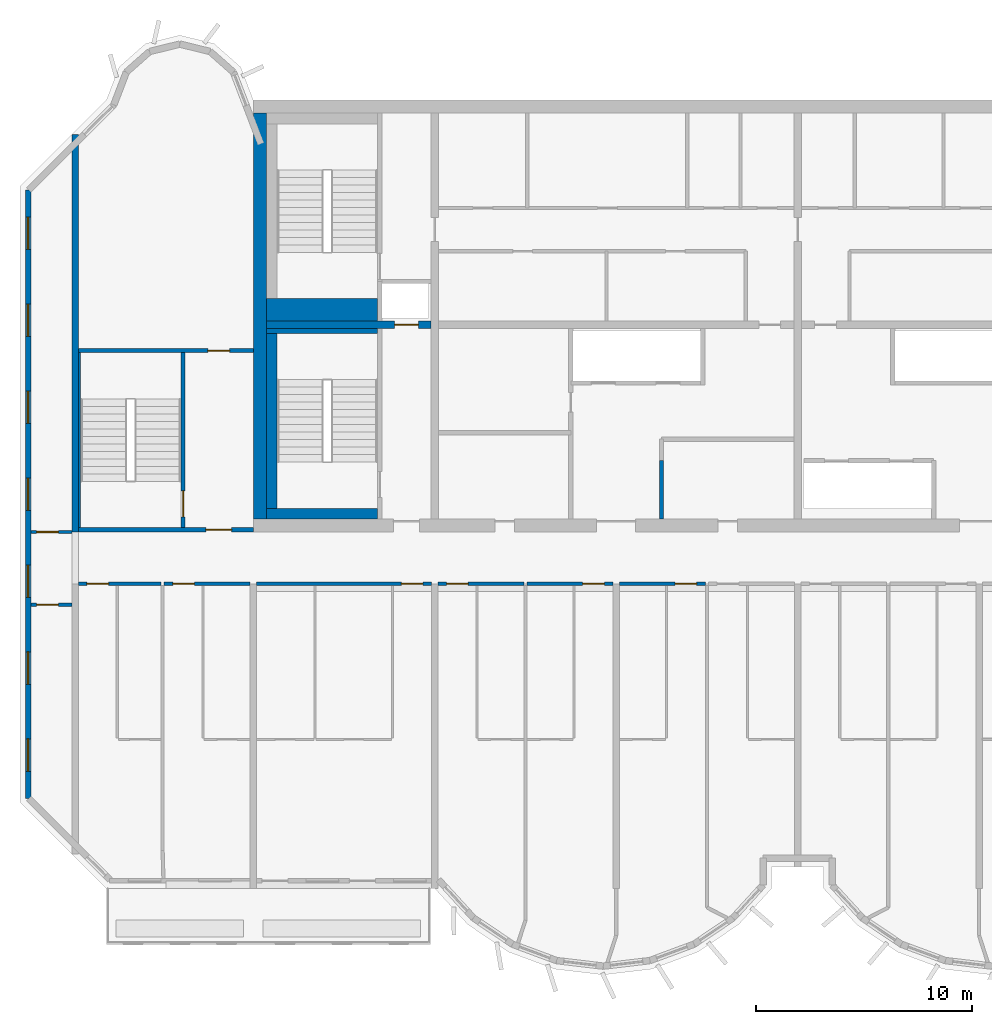
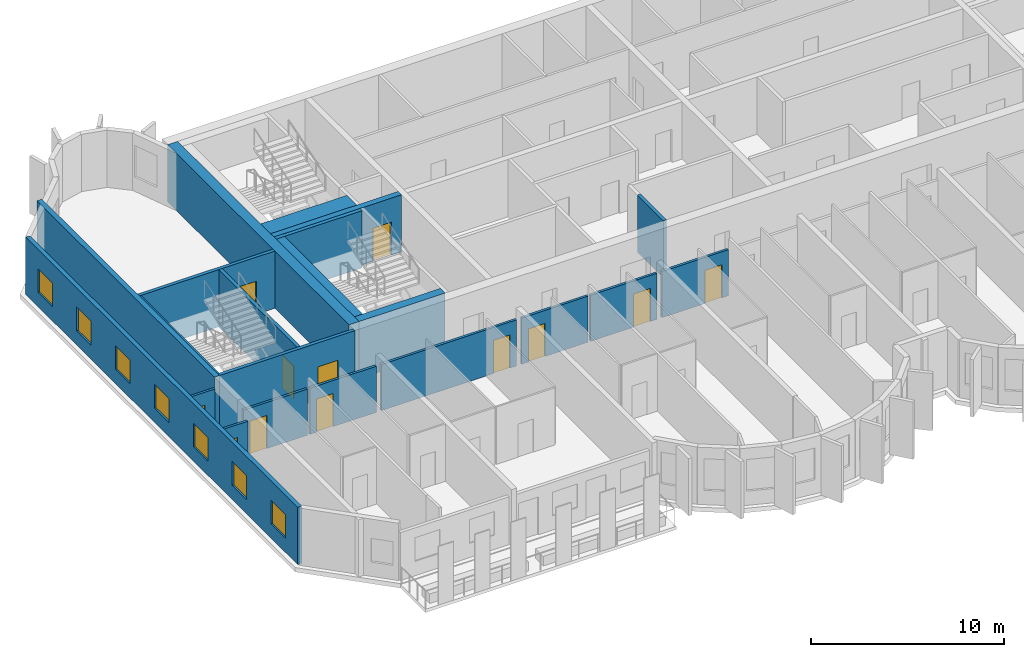
# One storey, part 3 of 11: 21 walls, 12 doors, 7 windows, 19 openings.
"""IFC4 building model written with IfcOpenShell, lengths in metres."""

from ifc_helpers import new_model, si_unit, direction, frame, frame_2d, origin, place, context, subcontext, project, spatial, rectangle, extrude, source, transform, mapped, material, layer, layer_set, type_object, element, fill, save


model = new_model("IFC4")

# Units and contexts
model_context = context("Model", 3, precision=1e-05, world=origin(), true_north=direction((0.0, 1.0)))
body_context = subcontext(model_context, "Body", "Model", "MODEL_VIEW")
ifc_project = project(units=[si_unit("LENGTHUNIT", "METRE"), si_unit("AREAUNIT", "SQUARE_METRE"), si_unit("VOLUMEUNIT", "CUBIC_METRE"), si_unit("PLANEANGLEUNIT", "RADIAN"), si_unit("MASSUNIT", "GRAM", prefix="KILO")], contexts=[model_context])

# Site, building, storey
site_placement = place(None, origin())
site = spatial("IfcSite", under=ifc_project, at=site_placement, CompositionType="ELEMENT")
building_placement = place(site_placement, origin())
building = spatial("IfcBuilding", under=site, at=building_placement, Name="Vanashikhar Sky Hotel", CompositionType="ELEMENT")
storey_placement = place(building_placement, frame((0.0, 0.0, 229.60009765625)))
storey = spatial("IfcBuildingStorey", under=building, at=storey_placement, Name="L55", CompositionType="ELEMENT", Elevation=229.60009765625)

# Wall
ifc_material_1 = material(Name="Concrete M60", Category="concrete")
ifc_layer_1 = layer(ifc_material_1, 0.60009765625)
ifc_layer_set_1 = layer_set([ifc_layer_1], Name="RC core shell wall 600 Concrete M60")
wall_type_1 = type_object("IfcWallType", Name="RC core shell wall 600 Concrete M60", PredefinedType="SHEAR", material=ifc_layer_set_1)
shared_shape_1 = source(origin(), body_context, "Body", "SweptSolid", [
    extrude(rectangle(XDim=18.7998046875, YDim=0.60009765625, at=frame_2d((9.39990234375, 0.0))), origin(), (0.0, 0.0, 1.0), 3.619873046875),
])
wall_1_placement = place(storey_placement, frame((25.5, 22.60009765625, 0.0), z_axis=(0.0, 0.0, 1.0), x_axis=(0.0, 1.0, 0.0)))
element("IfcWall", 1, at=wall_1_placement, inside=storey, type_object=wall_type_1, Name="KW-L55-KW", PredefinedType="SHEAR", context=body_context, shape_type="MappedRepresentation", body=[
    mapped(shared_shape_1, transform((0.0, 0.0, 0.0), scale=1.0)),
])

# Wall, opening, door
ifc_layer_2 = layer(ifc_material_1, 0.35009765625)
ifc_layer_set_2 = layer_set([ifc_layer_2], Name="RC core inner wall 350 Concrete M60")
wall_type_2 = type_object("IfcWallType", Name="RC core inner wall 350 Concrete M60", PredefinedType="SHEAR", material=ifc_layer_set_2)
shared_shape_2 = source(origin(), body_context, "Body", "SweptSolid", [
    extrude(rectangle(XDim=7.625, YDim=0.35009765625, at=frame_2d((3.8125, 0.0))), origin(), (0.0, 0.0, 1.0), 3.619873046875),
])
wall_2_placement = place(storey_placement, frame((25.800048828125, 31.60009765625, 0.0), z_axis=(0.0, 0.0, 1.0), x_axis=(1.0, 0.0, 0.0)))
wall_2 = element("IfcWall", 2, at=wall_2_placement, inside=storey, type_object=wall_type_2, Name="KW-L55-KY1", PredefinedType="SHEAR", context=body_context, shape_type="MappedRepresentation", body=[
    mapped(shared_shape_2, transform((0.0, 0.0, 0.0), scale=1.0)),
])
shared_shape_3 = source(origin(), body_context, "Body", "SweptSolid", [
    extrude(rectangle(XDim=1.10009765625, YDim=2.10009765625, at=frame_2d((0.550048828125, 1.050048828125))), frame((0.0, 0.18505859375, 0.0), z_axis=(0.0, -1.0, 0.0), x_axis=(1.0, 0.0, 0.0)), (0.0, 0.0, 1.0), 0.3701171875),
])
opening_1_placement = place(wall_2_placement, frame((5.93798828125, 0.0, 0.0)))
opening_1 = element("IfcOpeningElement", 3, at=opening_1_placement, cuts=wall_2, Name="Opening LD", PredefinedType="OPENING", context=body_context, shape_type="MappedRepresentation", body=[
    mapped(shared_shape_3, transform((0.0, 0.0, 0.0), scale=1.0)),
])
ifc_material_2 = material(Name="Stainless steel", Category="steel")
door_type_1 = type_object("IfcDoorType", Name="Lift landing door 1100", OperationType="NOTDEFINED", PredefinedType="DOOR", material=ifc_material_2)
shared_shape_4 = source(origin(), body_context, "Body", "SweptSolid", [
    extrude(rectangle(XDim=1.10009765625, YDim=2.10009765625, at=frame_2d((0.550048828125, 1.050048828125))), frame((0.0, 0.02490234375, 0.0), z_axis=(0.0, -1.0, 0.0), x_axis=(1.0, 0.0, 0.0)), (0.0, 0.0, 1.0), 0.050048828125),
])
door_1_placement = place(opening_1_placement, origin())
door_1 = element("IfcDoor", 4, at=door_1_placement, inside=storey, type_object=door_type_1, Name="Lift landing door 1100", OperationType="SLIDING_TO_LEFT", OverallHeight=2.10009765625, OverallWidth=1.10009765625, PredefinedType="DOOR", context=body_context, shape_type="MappedRepresentation", body=[
    mapped(shared_shape_4, transform((0.0, 0.0, 0.0), scale=1.0)),
])
fill(opening_1, door_1)

# Wall
ifc_layer_3 = layer(ifc_material_1, 0.300048828125)
ifc_layer_set_3 = layer_set([ifc_layer_3], Name="RC shear wall 300 Concrete M60")
wall_type_3 = type_object("IfcWallType", Name="RC shear wall 300 Concrete M60", PredefinedType="SHEAR", material=ifc_layer_set_3)
shared_shape_5 = source(origin(), body_context, "Body", "SweptSolid", [
    extrude(rectangle(XDim=18.39990234375, YDim=0.300048828125, at=frame_2d((9.199951171875, 0.0))), origin(), (0.0, 0.0, 1.0), 3.619873046875),
])
wall_3_placement = place(storey_placement, frame((16.949951171875, 22.0, 0.0), z_axis=(0.0, 0.0, 1.0), x_axis=(0.0, 1.0, 0.0)))
element("IfcWall", 5, at=wall_3_placement, inside=storey, type_object=wall_type_3, Name="CW-L55-XW03-2", PredefinedType="SHEAR", context=body_context, shape_type="MappedRepresentation", body=[
    mapped(shared_shape_5, transform((0.0, 0.0, 0.0), scale=1.0)),
])

# Wall, openings, windows
ifc_material_3 = material(Name="Concrete M50", Category="concrete")
ifc_layer_4 = layer(ifc_material_3, 0.25)
ifc_layer_set_4 = layer_set([ifc_layer_4], Name="Rear and end board-marked wall 250")
wall_type_4 = type_object("IfcWallType", Name="Rear and end board-marked wall 250", PredefinedType="SOLIDWALL", material=ifc_layer_set_4)
shared_shape_6 = source(origin(), body_context, "Body", "SweptSolid", [
    extrude(rectangle(XDim=28.189453125, YDim=0.25, at=frame_2d((14.0947265625, 0.0))), origin(), (0.0, 0.0, 1.0), 3.619873046875),
])
wall_4_placement = place(storey_placement, frame((14.77490234375, 37.8447265625, 0.0), z_axis=(0.0, 0.0, 1.0), x_axis=(0.0, -1.0, 0.0)))
wall_4 = element("IfcWall", 6, at=wall_4_placement, inside=storey, type_object=wall_type_4, Name="End board-marked wall", PredefinedType="SOLIDWALL", context=body_context, shape_type="MappedRepresentation", body=[
    mapped(shared_shape_6, transform((0.0, 0.0, 0.0), scale=1.0)),
])
shared_shape_7 = source(origin(), body_context, "Body", "SweptSolid", [
    extrude(rectangle(XDim=1.5, YDim=1.5, at=frame_2d((0.75, 0.75))), frame((0.0, 0.135009765625, 0.0), z_axis=(0.0, -1.0, 0.0), x_axis=(1.0, 0.0, 0.0)), (0.0, 0.0, 1.0), 0.27001953125),
])
opening_2_placement = place(wall_4_placement, frame((1.263427734375, 0.0, 0.89990234375)))
opening_2 = element("IfcOpeningElement", 7, at=opening_2_placement, cuts=wall_4, Name="Opening WN-1", PredefinedType="OPENING", context=body_context, shape_type="MappedRepresentation", body=[
    mapped(shared_shape_7, transform((0.0, 0.0, 0.0), scale=1.0)),
])
opening_3_placement = place(wall_4_placement, frame((5.29052734375, 0.0, 0.89990234375)))
opening_3 = element("IfcOpeningElement", 8, at=opening_3_placement, cuts=wall_4, Name="Opening WN-1", PredefinedType="OPENING", context=body_context, shape_type="MappedRepresentation", body=[
    mapped(shared_shape_7, transform((0.0, 0.0, 0.0), scale=1.0)),
])
opening_4_placement = place(wall_4_placement, frame((9.317626953125, 0.0, 0.89990234375)))
opening_4 = element("IfcOpeningElement", 9, at=opening_4_placement, cuts=wall_4, Name="Opening WN-1", PredefinedType="OPENING", context=body_context, shape_type="MappedRepresentation", body=[
    mapped(shared_shape_7, transform((0.0, 0.0, 0.0), scale=1.0)),
])
opening_5_placement = place(wall_4_placement, frame((13.3447265625, 0.0, 0.89990234375)))
opening_5 = element("IfcOpeningElement", 10, at=opening_5_placement, cuts=wall_4, Name="Opening WN-1", PredefinedType="OPENING", context=body_context, shape_type="MappedRepresentation", body=[
    mapped(shared_shape_7, transform((0.0, 0.0, 0.0), scale=1.0)),
])
opening_6_placement = place(wall_4_placement, frame((17.371826171875, 0.0, 0.89990234375)))
opening_6 = element("IfcOpeningElement", 11, at=opening_6_placement, cuts=wall_4, Name="Opening WN-1", PredefinedType="OPENING", context=body_context, shape_type="MappedRepresentation", body=[
    mapped(shared_shape_7, transform((0.0, 0.0, 0.0), scale=1.0)),
])
opening_7_placement = place(wall_4_placement, frame((21.398681640625, 0.0, 0.89990234375)))
opening_7 = element("IfcOpeningElement", 12, at=opening_7_placement, cuts=wall_4, Name="Opening WN-1", PredefinedType="OPENING", context=body_context, shape_type="MappedRepresentation", body=[
    mapped(shared_shape_7, transform((0.0, 0.0, 0.0), scale=1.0)),
])
opening_8_placement = place(wall_4_placement, frame((25.42578125, 0.0, 0.89990234375)))
opening_8 = element("IfcOpeningElement", 13, at=opening_8_placement, cuts=wall_4, Name="Opening WN-1", PredefinedType="OPENING", context=body_context, shape_type="MappedRepresentation", body=[
    mapped(shared_shape_7, transform((0.0, 0.0, 0.0), scale=1.0)),
])
ifc_material_4 = material(Name="Glass", Category="glass")
window_type = type_object("IfcWindowType", Name="Window 1500 x 1500", PartitioningType="SINGLE_PANEL", PredefinedType="WINDOW", material=ifc_material_4)
shared_shape_8 = source(origin(), body_context, "Body", "SweptSolid", [
    extrude(rectangle(XDim=1.5, YDim=1.5, at=frame_2d((0.75, 0.75))), frame((0.0, 0.030029296875, 0.0), z_axis=(0.0, -1.0, 0.0), x_axis=(1.0, 0.0, 0.0)), (0.0, 0.0, 1.0), 0.06005859375),
])
window_1_placement = place(opening_2_placement, origin())
window_1 = element("IfcWindow", 14, at=window_1_placement, inside=storey, type_object=window_type, Name="Window WN-1", OverallHeight=1.5, OverallWidth=1.5, PartitioningType="SINGLE_PANEL", PredefinedType="WINDOW", context=body_context, shape_type="MappedRepresentation", body=[
    mapped(shared_shape_8, transform((0.0, 0.0, 0.0), scale=1.0)),
])
fill(opening_2, window_1)
window_2_placement = place(opening_3_placement, origin())
window_2 = element("IfcWindow", 15, at=window_2_placement, inside=storey, type_object=window_type, Name="Window WN-1", OverallHeight=1.5, OverallWidth=1.5, PartitioningType="SINGLE_PANEL", PredefinedType="WINDOW", context=body_context, shape_type="MappedRepresentation", body=[
    mapped(shared_shape_8, transform((0.0, 0.0, 0.0), scale=1.0)),
])
fill(opening_3, window_2)
window_3_placement = place(opening_4_placement, origin())
window_3 = element("IfcWindow", 16, at=window_3_placement, inside=storey, type_object=window_type, Name="Window WN-1", OverallHeight=1.5, OverallWidth=1.5, PartitioningType="SINGLE_PANEL", PredefinedType="WINDOW", context=body_context, shape_type="MappedRepresentation", body=[
    mapped(shared_shape_8, transform((0.0, 0.0, 0.0), scale=1.0)),
])
fill(opening_4, window_3)
window_4_placement = place(opening_5_placement, origin())
window_4 = element("IfcWindow", 17, at=window_4_placement, inside=storey, type_object=window_type, Name="Window WN-1", OverallHeight=1.5, OverallWidth=1.5, PartitioningType="SINGLE_PANEL", PredefinedType="WINDOW", context=body_context, shape_type="MappedRepresentation", body=[
    mapped(shared_shape_8, transform((0.0, 0.0, 0.0), scale=1.0)),
])
fill(opening_5, window_4)
window_5_placement = place(opening_6_placement, origin())
window_5 = element("IfcWindow", 18, at=window_5_placement, inside=storey, type_object=window_type, Name="Window WN-1", OverallHeight=1.5, OverallWidth=1.5, PartitioningType="SINGLE_PANEL", PredefinedType="WINDOW", context=body_context, shape_type="MappedRepresentation", body=[
    mapped(shared_shape_8, transform((0.0, 0.0, 0.0), scale=1.0)),
])
fill(opening_6, window_5)
window_6_placement = place(opening_7_placement, origin())
window_6 = element("IfcWindow", 19, at=window_6_placement, inside=storey, type_object=window_type, Name="Window WN-1", OverallHeight=1.5, OverallWidth=1.5, PartitioningType="SINGLE_PANEL", PredefinedType="WINDOW", context=body_context, shape_type="MappedRepresentation", body=[
    mapped(shared_shape_8, transform((0.0, 0.0, 0.0), scale=1.0)),
])
fill(opening_7, window_6)
window_7_placement = place(opening_8_placement, origin())
window_7 = element("IfcWindow", 20, at=window_7_placement, inside=storey, type_object=window_type, Name="Window WN-1", OverallHeight=1.5, OverallWidth=1.5, PartitioningType="SINGLE_PANEL", PredefinedType="WINDOW", context=body_context, shape_type="MappedRepresentation", body=[
    mapped(shared_shape_8, transform((0.0, 0.0, 0.0), scale=1.0)),
])
fill(opening_8, window_7)

# Wall
ifc_material_5 = material(Name="Gypsum board partition")
ifc_layer_5 = layer(ifc_material_5, 0.14990234375)
ifc_layer_set_5 = layer_set([ifc_layer_5], Name="Service partition 150")
wall_type_5 = type_object("IfcWallType", Name="Service partition 150", PredefinedType="PARTITIONING", material=ifc_layer_set_5)
shared_shape_9 = source(origin(), body_context, "Body", "SweptSolid", [
    extrude(rectangle(XDim=2.699951171875, YDim=0.199951171875, at=frame_2d((1.35009765625, 0.0))), origin(), (0.0, 0.0, 1.0), 3.619873046875),
])
wall_5_placement = place(storey_placement, frame((44.10009765625, 22.60009765625, 0.0), z_axis=(0.0, 0.0, 1.0), x_axis=(0.0, 1.0, 0.0)))
element("IfcWall", 21, at=wall_5_placement, inside=storey, type_object=wall_type_5, Name="Service partition 150", PredefinedType="PARTITIONING", context=body_context, shape_type="MappedRepresentation", body=[
    mapped(shared_shape_9, transform((0.0, 0.0, 0.0), scale=1.0)),
])

# Wall, opening, door
ifc_layer_6 = layer(ifc_material_3, 0.199951171875)
ifc_layer_set_6 = layer_set([ifc_layer_6], Name="Stair wall 200")
wall_type_6 = type_object("IfcWallType", Name="Stair wall 200", PredefinedType="SOLIDWALL", material=ifc_layer_set_6)
shared_shape_10 = source(origin(), body_context, "Body", "SweptSolid", [
    extrude(rectangle(XDim=8.2998046875, YDim=0.199951171875, at=frame_2d((4.14990234375, 0.0))), origin(), (0.0, 0.0, 1.0), 3.619873046875),
])
wall_6_placement = place(storey_placement, frame((21.949951171875, 22.10009765625, 0.0), z_axis=(0.0, 0.0, 1.0), x_axis=(0.0, 1.0, 0.0)))
wall_6 = element("IfcWall", 22, at=wall_6_placement, inside=storey, type_object=wall_type_6, Name="Stair wall 200", PredefinedType="SOLIDWALL", context=body_context, shape_type="MappedRepresentation", body=[
    mapped(shared_shape_10, transform((0.0, 0.0, 0.0), scale=1.0)),
])
shared_shape_11 = source(origin(), body_context, "Body", "SweptSolid", [
    extrude(rectangle(XDim=1.199951171875, YDim=2.10009765625, at=frame_2d((0.60009765625, 1.050048828125))), frame((0.0, 0.10986328125, 0.0), z_axis=(0.0, -1.0, 0.0), x_axis=(1.0, 0.0, 0.0)), (0.0, 0.0, 1.0), 0.219970703125),
])
opening_9_placement = place(wall_6_placement, frame((0.60009765625, 0.0, 0.0)))
opening_9 = element("IfcOpeningElement", 23, at=opening_9_placement, cuts=wall_6, Name="Opening DC-1", PredefinedType="OPENING", context=body_context, shape_type="MappedRepresentation", body=[
    mapped(shared_shape_11, transform((0.0, 0.0, 0.0), scale=1.0)),
])
ifc_material_6 = material(Name="Steel", Category="steel")
door_type_2 = type_object("IfcDoorType", Name="Stair door 1200 FD120", OperationType="NOTDEFINED", PredefinedType="DOOR", material=ifc_material_6)
shared_shape_12 = source(origin(), body_context, "Body", "SweptSolid", [
    extrude(rectangle(XDim=1.199951171875, YDim=2.10009765625, at=frame_2d((0.60009765625, 1.050048828125))), frame((0.0, 0.02490234375, 0.0), z_axis=(0.0, -1.0, 0.0), x_axis=(1.0, 0.0, 0.0)), (0.0, 0.0, 1.0), 0.050048828125),
])
door_2_placement = place(opening_9_placement, origin())
door_2 = element("IfcDoor", 24, at=door_2_placement, inside=storey, type_object=door_type_2, Name="Stair door 1200 FD120", OperationType="SINGLE_SWING_LEFT", OverallHeight=2.10009765625, OverallWidth=1.199951171875, PredefinedType="DOOR", context=body_context, shape_type="MappedRepresentation", body=[
    mapped(shared_shape_12, transform((0.0, 0.0, 0.0), scale=1.0)),
])
fill(opening_9, door_2)

shared_shape_13 = source(origin(), body_context, "Body", "SweptSolid", [
    extrude(rectangle(XDim=8.099853515625, YDim=0.199951171875, at=frame_2d((4.0498046875, 0.0))), origin(), (0.0, 0.0, 1.0), 3.619873046875),
])
wall_7_placement = place(storey_placement, frame((17.10009765625, 22.10009765625, 0.0), z_axis=(0.0, 0.0, 1.0), x_axis=(1.0, 0.0, 0.0)))
wall_7 = element("IfcWall", 25, at=wall_7_placement, inside=storey, type_object=wall_type_6, Name="Stair wall 200", PredefinedType="SOLIDWALL", context=body_context, shape_type="MappedRepresentation", body=[
    mapped(shared_shape_13, transform((0.0, 0.0, 0.0), scale=1.0)),
])
opening_10_placement = place(wall_7_placement, frame((5.89990234375, 0.0, 0.0)))
opening_10 = element("IfcOpeningElement", 26, at=opening_10_placement, cuts=wall_7, Name="Opening DC-2", PredefinedType="OPENING", context=body_context, shape_type="MappedRepresentation", body=[
    mapped(shared_shape_11, transform((0.0, 0.0, 0.0), scale=1.0)),
])
door_type_3 = type_object("IfcDoorType", Name="Firefighting lobby door 1200 FD120", OperationType="NOTDEFINED", PredefinedType="DOOR", material=ifc_material_6)
door_3_placement = place(opening_10_placement, origin())
door_3 = element("IfcDoor", 27, at=door_3_placement, inside=storey, type_object=door_type_3, Name="Firefighting lobby door 1200 FD120", OperationType="SINGLE_SWING_RIGHT", OverallHeight=2.10009765625, OverallWidth=1.199951171875, PredefinedType="DOOR", context=body_context, shape_type="MappedRepresentation", body=[
    mapped(shared_shape_12, transform((0.0, 0.0, 0.0), scale=1.0)),
])
fill(opening_10, door_3)

wall_8_placement = place(storey_placement, frame((17.10009765625, 30.39990234375, 0.0), z_axis=(0.0, 0.0, 1.0), x_axis=(1.0, 0.0, 0.0)))
wall_8 = element("IfcWall", 28, at=wall_8_placement, inside=storey, type_object=wall_type_6, Name="Stair wall 200", PredefinedType="SOLIDWALL", context=body_context, shape_type="MappedRepresentation", body=[
    mapped(shared_shape_13, transform((0.0, 0.0, 0.0), scale=1.0)),
])
shared_shape_14 = source(origin(), body_context, "Body", "SweptSolid", [
    extrude(rectangle(XDim=1.0, YDim=2.10009765625, at=frame_2d((0.5, 1.050048828125))), frame((0.0, 0.10986328125, 0.0), z_axis=(0.0, -1.0, 0.0), x_axis=(1.0, 0.0, 0.0)), (0.0, 0.0, 1.0), 0.219970703125),
])
opening_11_placement = place(wall_8_placement, frame((6.0, 0.0, 0.0)))
opening_11 = element("IfcOpeningElement", 29, at=opening_11_placement, cuts=wall_8, Name="Opening DC-6", PredefinedType="OPENING", context=body_context, shape_type="MappedRepresentation", body=[
    mapped(shared_shape_14, transform((0.0, 0.0, 0.0), scale=1.0)),
])
door_type_4 = type_object("IfcDoorType", Name="Pocket door 1000 FD60", OperationType="NOTDEFINED", PredefinedType="DOOR", material=ifc_material_6)
shared_shape_15 = source(origin(), body_context, "Body", "SweptSolid", [
    extrude(rectangle(XDim=1.0, YDim=2.10009765625, at=frame_2d((0.5, 1.050048828125))), frame((0.0, 0.02490234375, 0.0), z_axis=(0.0, -1.0, 0.0), x_axis=(1.0, 0.0, 0.0)), (0.0, 0.0, 1.0), 0.050048828125),
])
door_4_placement = place(opening_11_placement, origin())
door_4 = element("IfcDoor", 30, at=door_4_placement, inside=storey, type_object=door_type_4, Name="Pocket door 1000 FD60", OperationType="SINGLE_SWING_RIGHT", OverallHeight=2.10009765625, OverallWidth=1.0, PredefinedType="DOOR", context=body_context, shape_type="MappedRepresentation", body=[
    mapped(shared_shape_15, transform((0.0, 0.0, 0.0), scale=1.0)),
])
fill(opening_11, door_4)

# Walls
ifc_layer_7 = layer(ifc_material_3, 0.5)
ifc_layer_set_7 = layer_set([ifc_layer_7], Name="Stair infill wall 500")
wall_type_7 = type_object("IfcWallType", Name="Stair infill wall 500", PredefinedType="SOLIDWALL", material=ifc_layer_set_7)
shared_shape_16 = source(origin(), body_context, "Body", "SweptSolid", [
    extrude(rectangle(XDim=5.14990234375, YDim=0.5, at=frame_2d((2.574951171875, 0.0))), origin(), (0.0, 0.0, 1.0), 3.619873046875),
])
wall_9_placement = place(storey_placement, frame((25.800048828125, 22.85009765625, 0.0), z_axis=(0.0, 0.0, 1.0), x_axis=(1.0, 0.0, 0.0)))
element("IfcWall", 31, at=wall_9_placement, inside=storey, type_object=wall_type_7, Name="Stair infill wall 500", PredefinedType="SOLIDWALL", context=body_context, shape_type="MappedRepresentation", body=[
    mapped(shared_shape_16, transform((0.0, 0.0, 0.0), scale=1.0)),
])
ifc_layer_8 = layer(ifc_material_3, 0.22509765625)
ifc_layer_set_8 = layer_set([ifc_layer_8], Name="Stair infill wall 225")
wall_type_8 = type_object("IfcWallType", Name="Stair infill wall 225", PredefinedType="SOLIDWALL", material=ifc_layer_set_8)
shared_shape_17 = source(origin(), body_context, "Body", "SweptSolid", [
    extrude(rectangle(XDim=5.14990234375, YDim=0.22509765625, at=frame_2d((2.574951171875, 0.0))), origin(), (0.0, 0.0, 1.0), 3.619873046875),
])
wall_10_placement = place(storey_placement, frame((25.800048828125, 31.31201171875, 0.0), z_axis=(0.0, 0.0, 1.0), x_axis=(1.0, 0.0, 0.0)))
element("IfcWall", 32, at=wall_10_placement, inside=storey, type_object=wall_type_8, Name="Stair infill wall 225", PredefinedType="SOLIDWALL", context=body_context, shape_type="MappedRepresentation", body=[
    mapped(shared_shape_17, transform((0.0, 0.0, 0.0), scale=1.0)),
])
shared_shape_18 = source(origin(), body_context, "Body", "SweptSolid", [
    extrude(rectangle(XDim=8.099853515625, YDim=0.5, at=frame_2d((4.0498046875, 0.0))), origin(), (0.0, 0.0, 1.0), 3.619873046875),
])
wall_11_placement = place(storey_placement, frame((26.050048828125, 23.10009765625, 0.0), z_axis=(0.0, 0.0, 1.0), x_axis=(0.0, 1.0, 0.0)))
element("IfcWall", 33, at=wall_11_placement, inside=storey, type_object=wall_type_7, Name="Stair infill wall 500", PredefinedType="SOLIDWALL", context=body_context, shape_type="MappedRepresentation", body=[
    mapped(shared_shape_18, transform((0.0, 0.0, 0.0), scale=1.0)),
])
ifc_layer_9 = layer(ifc_material_3, 0.10009765625)
ifc_layer_set_9 = layer_set([ifc_layer_9], Name="Stair infill wall 100")
wall_type_9 = type_object("IfcWallType", Name="Stair infill wall 100", PredefinedType="SOLIDWALL", material=ifc_layer_set_9)
shared_shape_19 = source(origin(), body_context, "Body", "SweptSolid", [
    extrude(rectangle(XDim=8.10009765625, YDim=0.10009765625, at=frame_2d((4.050048828125, 0.0))), origin(), (0.0, 0.0, 1.0), 3.619873046875),
])
wall_12_placement = place(storey_placement, frame((17.14990234375, 22.199951171875, 0.0), z_axis=(0.0, 0.0, 1.0), x_axis=(0.0, 1.0, 0.0)))
element("IfcWall", 34, at=wall_12_placement, inside=storey, type_object=wall_type_9, Name="Stair infill wall 100", PredefinedType="SOLIDWALL", context=body_context, shape_type="MappedRepresentation", body=[
    mapped(shared_shape_19, transform((0.0, 0.0, 0.0), scale=1.0)),
])
ifc_layer_10 = layer(ifc_material_3, 1.02490234375)
ifc_layer_set_10 = layer_set([ifc_layer_10], Name="Stair infill wall 1025")
wall_type_10 = type_object("IfcWallType", Name="Stair infill wall 1025", PredefinedType="SOLIDWALL", material=ifc_layer_set_10)
shared_shape_20 = source(origin(), body_context, "Body", "SweptSolid", [
    extrude(rectangle(XDim=5.14990234375, YDim=1.02490234375, at=frame_2d((2.574951171875, 0.0))), origin(), (0.0, 0.0, 1.0), 3.619873046875),
])
wall_13_placement = place(storey_placement, frame((25.800048828125, 32.287109375, 0.0), z_axis=(0.0, 0.0, 1.0), x_axis=(1.0, 0.0, 0.0)))
element("IfcWall", 35, at=wall_13_placement, inside=storey, type_object=wall_type_10, Name="Stair infill wall 1025", PredefinedType="SOLIDWALL", context=body_context, shape_type="MappedRepresentation", body=[
    mapped(shared_shape_20, transform((0.0, 0.0, 0.0), scale=1.0)),
])

# Wall, opening, door
ifc_material_7 = material(Name="Gypsum plasterboard partition")
ifc_layer_11 = layer(ifc_material_7, 0.14990234375)
ifc_layer_set_11 = layer_set([ifc_layer_11], Name="Corridor and demising partition 150")
wall_type_11 = type_object("IfcWallType", Name="Corridor and demising partition 150", PredefinedType="PARTITIONING", material=ifc_layer_set_11)
shared_shape_21 = source(origin(), body_context, "Body", "SweptSolid", [
    extrude(rectangle(XDim=3.824951171875, YDim=0.14990234375, at=frame_2d((1.91259765625, 0.0))), origin(), (0.0, 0.0, 1.0), 2.919921875),
])
wall_14_placement = place(storey_placement, frame((17.10009765625, 19.60009765625, 0.0), z_axis=(0.0, 0.0, 1.0), x_axis=(1.0, 0.0, 0.0)))
wall_14 = element("IfcWall", 36, at=wall_14_placement, inside=storey, type_object=wall_type_11, Name="W-L55-PW003", PredefinedType="PARTITIONING", context=body_context, shape_type="MappedRepresentation", body=[
    mapped(shared_shape_21, transform((0.0, 0.0, 0.0), scale=1.0)),
])
shared_shape_22 = source(origin(), body_context, "Body", "SweptSolid", [
    extrude(rectangle(XDim=1.0, YDim=2.10009765625, at=frame_2d((0.5, 1.050048828125))), frame((0.0, 0.0849609375, 0.0), z_axis=(0.0, -1.0, 0.0), x_axis=(1.0, 0.0, 0.0)), (0.0, 0.0, 1.0), 0.169921875),
])
opening_12_placement = place(wall_14_placement, frame((0.39990234375, 0.0, 0.0)))
opening_12 = element("IfcOpeningElement", 37, at=opening_12_placement, cuts=wall_14, Name="Opening D-01", PredefinedType="OPENING", context=body_context, shape_type="MappedRepresentation", body=[
    mapped(shared_shape_22, transform((0.0, 0.0, 0.0), scale=1.0)),
])
ifc_material_8 = material(Name="Timber fire door", Category="wood")
door_type_5 = type_object("IfcDoorType", Name="Guest entry door 1000 FD30S", OperationType="NOTDEFINED", PredefinedType="DOOR", material=ifc_material_8)
door_5_placement = place(opening_12_placement, origin())
door_5 = element("IfcDoor", 38, at=door_5_placement, inside=storey, type_object=door_type_5, Name="D-L55-002", OperationType="SINGLE_SWING_LEFT", OverallHeight=2.10009765625, OverallWidth=1.0, PredefinedType="DOOR", context=body_context, shape_type="MappedRepresentation", body=[
    mapped(shared_shape_15, transform((0.0, 0.0, 0.0), scale=1.0)),
])
fill(opening_12, door_5)

shared_shape_23 = source(origin(), body_context, "Body", "SweptSolid", [
    extrude(rectangle(XDim=3.97509765625, YDim=0.14990234375, at=frame_2d((1.987548828125, 0.0))), origin(), (0.0, 0.0, 1.0), 2.919921875),
])
wall_15_placement = place(storey_placement, frame((21.074951171875, 19.60009765625, 0.0), z_axis=(0.0, 0.0, 1.0), x_axis=(1.0, 0.0, 0.0)))
wall_15 = element("IfcWall", 39, at=wall_15_placement, inside=storey, type_object=wall_type_11, Name="W-L55-PW006", PredefinedType="PARTITIONING", context=body_context, shape_type="MappedRepresentation", body=[
    mapped(shared_shape_23, transform((0.0, 0.0, 0.0), scale=1.0)),
])
opening_13_placement = place(wall_15_placement, frame((0.39990234375, 0.0, 0.0)))
opening_13 = element("IfcOpeningElement", 40, at=opening_13_placement, cuts=wall_15, Name="Opening D-01", PredefinedType="OPENING", context=body_context, shape_type="MappedRepresentation", body=[
    mapped(shared_shape_22, transform((0.0, 0.0, 0.0), scale=1.0)),
])
door_6_placement = place(opening_13_placement, origin())
door_6 = element("IfcDoor", 41, at=door_6_placement, inside=storey, type_object=door_type_5, Name="D-L55-004", OperationType="SINGLE_SWING_LEFT", OverallHeight=2.10009765625, OverallWidth=1.0, PredefinedType="DOOR", context=body_context, shape_type="MappedRepresentation", body=[
    mapped(shared_shape_15, transform((0.0, 0.0, 0.0), scale=1.0)),
])
fill(opening_13, door_6)

wall_16_placement = place(storey_placement, frame((33.75, 19.60009765625, 0.0), z_axis=(0.0, 0.0, 1.0), x_axis=(1.0, 0.0, 0.0)))
wall_16 = element("IfcWall", 42, at=wall_16_placement, inside=storey, type_object=wall_type_11, Name="W-L55-PW015", PredefinedType="PARTITIONING", context=body_context, shape_type="MappedRepresentation", body=[
    mapped(shared_shape_23, transform((0.0, 0.0, 0.0), scale=1.0)),
])
opening_14_placement = place(wall_16_placement, frame((0.39990234375, 0.0, 0.0)))
opening_14 = element("IfcOpeningElement", 43, at=opening_14_placement, cuts=wall_16, Name="Opening D-01", PredefinedType="OPENING", context=body_context, shape_type="MappedRepresentation", body=[
    mapped(shared_shape_22, transform((0.0, 0.0, 0.0), scale=1.0)),
])
door_7_placement = place(opening_14_placement, origin())
door_7 = element("IfcDoor", 44, at=door_7_placement, inside=storey, type_object=door_type_5, Name="D-L55-009", OperationType="SINGLE_SWING_LEFT", OverallHeight=2.10009765625, OverallWidth=1.0, PredefinedType="DOOR", context=body_context, shape_type="MappedRepresentation", body=[
    mapped(shared_shape_15, transform((0.0, 0.0, 0.0), scale=1.0)),
])
fill(opening_14, door_7)

wall_17_placement = place(storey_placement, frame((37.875, 19.60009765625, 0.0), z_axis=(0.0, 0.0, 1.0), x_axis=(1.0, 0.0, 0.0)))
wall_17 = element("IfcWall", 45, at=wall_17_placement, inside=storey, type_object=wall_type_11, Name="W-L55-PW018", PredefinedType="PARTITIONING", context=body_context, shape_type="MappedRepresentation", body=[
    mapped(shared_shape_23, transform((0.0, 0.0, 0.0), scale=1.0)),
])
opening_15_placement = place(wall_17_placement, frame((2.574951171875, 0.0, 0.0)))
opening_15 = element("IfcOpeningElement", 46, at=opening_15_placement, cuts=wall_17, Name="Opening D-01", PredefinedType="OPENING", context=body_context, shape_type="MappedRepresentation", body=[
    mapped(shared_shape_22, transform((0.0, 0.0, 0.0), scale=1.0)),
])
door_8_placement = place(opening_15_placement, origin())
door_8 = element("IfcDoor", 47, at=door_8_placement, inside=storey, type_object=door_type_5, Name="D-L55-011", OperationType="SINGLE_SWING_RIGHT", OverallHeight=2.10009765625, OverallWidth=1.0, PredefinedType="DOOR", context=body_context, shape_type="MappedRepresentation", body=[
    mapped(shared_shape_15, transform((0.0, 0.0, 0.0), scale=1.0)),
])
fill(opening_15, door_8)

wall_18_placement = place(storey_placement, frame((42.14990234375, 19.60009765625, 0.0), z_axis=(0.0, 0.0, 1.0), x_axis=(1.0, 0.0, 0.0)))
wall_18 = element("IfcWall", 48, at=wall_18_placement, inside=storey, type_object=wall_type_11, Name="W-L55-PW022", PredefinedType="PARTITIONING", context=body_context, shape_type="MappedRepresentation", body=[
    mapped(shared_shape_23, transform((0.0, 0.0, 0.0), scale=1.0)),
])
opening_16_placement = place(wall_18_placement, frame((2.574951171875, 0.0, 0.0)))
opening_16 = element("IfcOpeningElement", 49, at=opening_16_placement, cuts=wall_18, Name="Opening D-01", PredefinedType="OPENING", context=body_context, shape_type="MappedRepresentation", body=[
    mapped(shared_shape_22, transform((0.0, 0.0, 0.0), scale=1.0)),
])
door_9_placement = place(opening_16_placement, origin())
door_9 = element("IfcDoor", 50, at=door_9_placement, inside=storey, type_object=door_type_5, Name="D-L55-013", OperationType="SINGLE_SWING_RIGHT", OverallHeight=2.10009765625, OverallWidth=1.0, PredefinedType="DOOR", context=body_context, shape_type="MappedRepresentation", body=[
    mapped(shared_shape_15, transform((0.0, 0.0, 0.0), scale=1.0)),
])
fill(opening_16, door_9)

shared_shape_24 = source(origin(), body_context, "Body", "SweptSolid", [
    extrude(rectangle(XDim=8.099853515625, YDim=0.14990234375, at=frame_2d((4.0498046875, 0.0))), origin(), (0.0, 0.0, 1.0), 2.919921875),
])
wall_19_placement = place(storey_placement, frame((25.35009765625, 19.60009765625, 0.0), z_axis=(0.0, 0.0, 1.0), x_axis=(1.0, 0.0, 0.0)))
wall_19 = element("IfcWall", 51, at=wall_19_placement, inside=storey, type_object=wall_type_11, Name="W-L55-PW012", PredefinedType="PARTITIONING", context=body_context, shape_type="MappedRepresentation", body=[
    mapped(shared_shape_24, transform((0.0, 0.0, 0.0), scale=1.0)),
])
opening_17_placement = place(wall_19_placement, frame((6.699951171875, 0.0, 0.0)))
opening_17 = element("IfcOpeningElement", 52, at=opening_17_placement, cuts=wall_19, Name="Opening D-01", PredefinedType="OPENING", context=body_context, shape_type="MappedRepresentation", body=[
    mapped(shared_shape_22, transform((0.0, 0.0, 0.0), scale=1.0)),
])
door_10_placement = place(opening_17_placement, origin())
door_10 = element("IfcDoor", 53, at=door_10_placement, inside=storey, type_object=door_type_5, Name="D-L55-007", OperationType="SINGLE_SWING_RIGHT", OverallHeight=2.10009765625, OverallWidth=1.0, PredefinedType="DOOR", context=body_context, shape_type="MappedRepresentation", body=[
    mapped(shared_shape_15, transform((0.0, 0.0, 0.0), scale=1.0)),
])
fill(opening_17, door_10)

shared_shape_25 = source(origin(), body_context, "Body", "SweptSolid", [
    extrude(rectangle(XDim=1.900146484375, YDim=0.14990234375, at=frame_2d((0.9501953125, 0.0))), origin(), (0.0, 0.0, 1.0), 2.919921875),
])
wall_20_placement = place(storey_placement, frame((14.89990234375, 22.0, 0.0), z_axis=(0.0, 0.0, 1.0), x_axis=(1.0, 0.0, 0.0)))
wall_20 = element("IfcWall", 54, at=wall_20_placement, inside=storey, type_object=wall_type_11, Name="W-L55-PW049", PredefinedType="PARTITIONING", context=body_context, shape_type="MappedRepresentation", body=[
    mapped(shared_shape_25, transform((0.0, 0.0, 0.0), scale=1.0)),
])
opening_18_placement = place(wall_20_placement, frame((0.27490234375, 0.0, 0.0)))
opening_18 = element("IfcOpeningElement", 55, at=opening_18_placement, cuts=wall_20, Name="Opening D-01", PredefinedType="OPENING", context=body_context, shape_type="MappedRepresentation", body=[
    mapped(shared_shape_22, transform((0.0, 0.0, 0.0), scale=1.0)),
])
door_11_placement = place(opening_18_placement, origin())
door_11 = element("IfcDoor", 56, at=door_11_placement, inside=storey, type_object=door_type_5, Name="D-L55-028", OperationType="SINGLE_SWING_LEFT", OverallHeight=2.10009765625, OverallWidth=1.0, PredefinedType="DOOR", context=body_context, shape_type="MappedRepresentation", body=[
    mapped(shared_shape_15, transform((0.0, 0.0, 0.0), scale=1.0)),
])
fill(opening_18, door_11)

wall_21_placement = place(storey_placement, frame((14.89990234375, 18.6279296875, 0.0), z_axis=(0.0, 0.0, 1.0), x_axis=(1.0, 0.0, 0.0)))
wall_21 = element("IfcWall", 57, at=wall_21_placement, inside=storey, type_object=wall_type_11, Name="W-L55-PW051", PredefinedType="PARTITIONING", context=body_context, shape_type="MappedRepresentation", body=[
    mapped(shared_shape_25, transform((0.0, 0.0, 0.0), scale=1.0)),
])
opening_19_placement = place(wall_21_placement, frame((0.27490234375, 0.0, 0.0)))
opening_19 = element("IfcOpeningElement", 58, at=opening_19_placement, cuts=wall_21, Name="Opening D-01", PredefinedType="OPENING", context=body_context, shape_type="MappedRepresentation", body=[
    mapped(shared_shape_22, transform((0.0, 0.0, 0.0), scale=1.0)),
])
door_12_placement = place(opening_19_placement, origin())
door_12 = element("IfcDoor", 59, at=door_12_placement, inside=storey, type_object=door_type_5, Name="D-L55-030", OperationType="SINGLE_SWING_LEFT", OverallHeight=2.10009765625, OverallWidth=1.0, PredefinedType="DOOR", context=body_context, shape_type="MappedRepresentation", body=[
    mapped(shared_shape_15, transform((0.0, 0.0, 0.0), scale=1.0)),
])
fill(opening_19, door_12)

save(model, "model.ifc")
